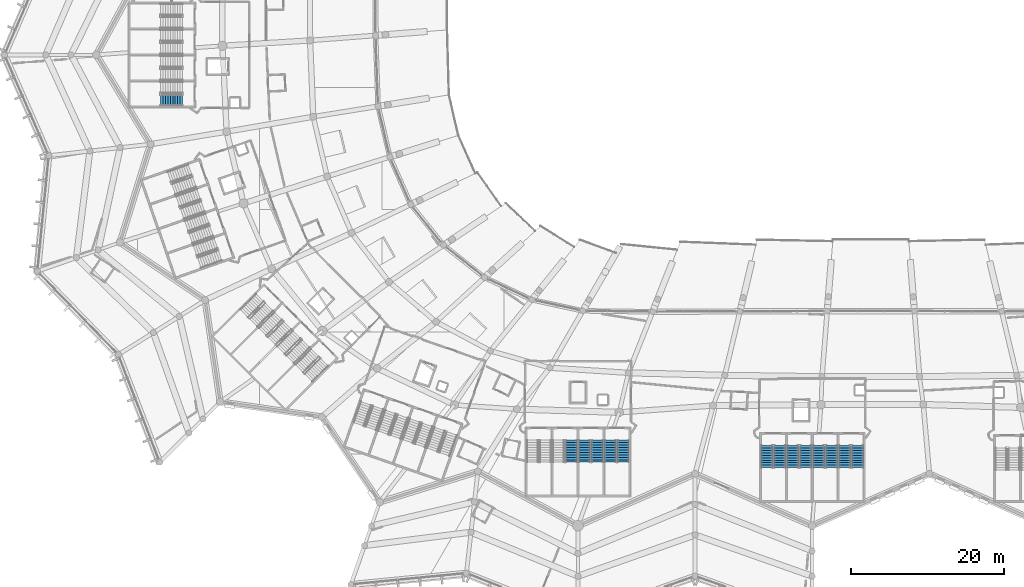
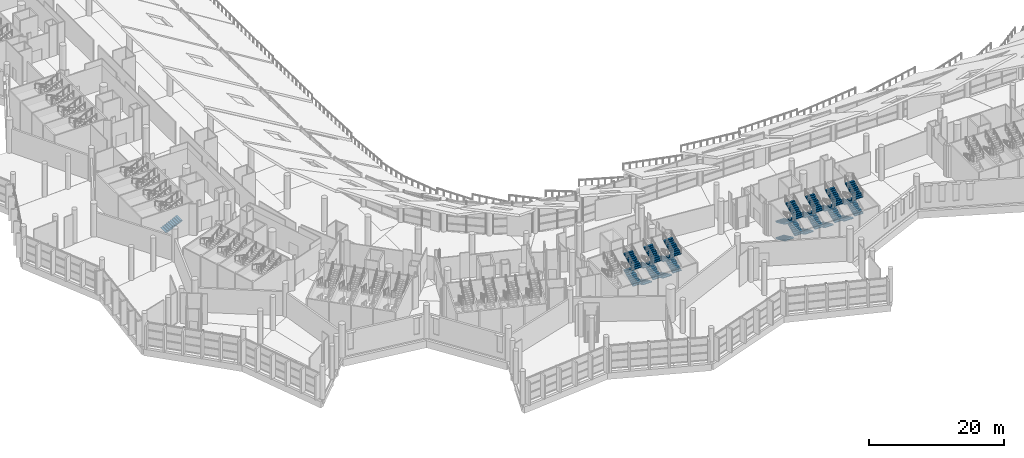
# One storey, part 184 of 249: 27 stair flights, 8 elements without a shape of their own.
"""IFC4 building model written with IfcOpenShell, lengths in metres."""

from ifc_helpers import new_model, si_unit, direction, frame, origin, place, context, subcontext, project, spatial, polyline, outline, extrude, material, type_object, element, aggregate, save


model = new_model("IFC4")

# Units and contexts
model_context = context("Model", 3, precision=1e-05, world=origin(), true_north=direction((0.0, 1.0)))
body_context = subcontext(model_context, "Body", "Model", "MODEL_VIEW")
ifc_project = project(units=[si_unit("LENGTHUNIT", "METRE"), si_unit("AREAUNIT", "SQUARE_METRE"), si_unit("VOLUMEUNIT", "CUBIC_METRE"), si_unit("PLANEANGLEUNIT", "RADIAN"), si_unit("MASSUNIT", "GRAM", prefix="KILO")], contexts=[model_context])

# Site, building, storey
site_placement = place(None, origin())
site = spatial("IfcSite", under=ifc_project, at=site_placement, CompositionType="ELEMENT")
building_placement = place(site_placement, origin())
building = spatial("IfcBuilding", under=site, at=building_placement, Name="Meseta Stadium", CompositionType="ELEMENT")
storey_placement = place(building_placement, frame((0.0, 0.0, 12.0)))
storey = spatial("IfcBuildingStorey", under=building, at=storey_placement, Name="L02", CompositionType="ELEMENT", Elevation=12.0)

# Stair, stair flight
ifc_material_1 = material(Name="Concrete C40/50", Category="concrete")
stair_type = type_object("IfcStairType", Name="Exit stair 4 flights 150 mm risers", PredefinedType="HALF_TURN_STAIR", material=ifc_material_1)
stair_1_placement = place(storey_placement, origin())
stair_1 = element("IfcStair", 1, at=stair_1_placement, inside=storey, type_object=stair_type, Name="ST76 L02", PredefinedType="HALF_TURN_STAIR")
ifc_material_2 = material(Name="Concrete C40/50", Category="concrete")
stair_flight_type = type_object("IfcStairFlightType", Name="Exit stair flight 150 mm risers, 4 per storey", PredefinedType="STRAIGHT", material=ifc_material_2)
stair_flight_1_placement = place(storey_placement, frame((-92.97998046875, -49.699951171875, 1.5), z_axis=(0.0, 0.0, 1.0), x_axis=(1.0, 0.0, 0.0)))
stair_flight_1 = element("IfcStairFlight", 2, at=stair_flight_1_placement, type_object=stair_flight_type, Name="ST76 L02 flight 2", NumberOfRisers=10, NumberOfTreads=9, PredefinedType="STRAIGHT", RiserHeight=0.15, TreadLength=0.32, context=body_context, shape_type="SweptSolid", body=[
    extrude(outline(polyline([(0.0, 0.0), (0.0, 0.14990234375), (0.320068359375, 0.14990234375), (0.320068359375, 0.300048828125), (0.639892578125, 0.300048828125), (0.639892578125, 0.449951171875), (0.9599609375, 0.449951171875), (0.9599609375, 0.60009765625), (1.280029296875, 0.60009765625), (1.280029296875, 0.75), (1.60009765625, 0.75), (1.60009765625, 0.89990234375), (1.919921875, 0.89990234375), (1.919921875, 1.050048828125), (2.239990234375, 1.050048828125), (2.239990234375, 1.199951171875), (2.56005859375, 1.199951171875), (2.56005859375, 1.35009765625), (2.8798828125, 1.35009765625), (2.8798828125, 1.184326171875), (0.353271484375, 0.0), (0.0, 0.0)])), frame((0.0, 0.75, 0.0), z_axis=(0.0, -1.0, 0.0), x_axis=(1.0, 0.0, 0.0)), (0.0, 0.0, 1.0), 1.5),
])
aggregate(stair_1, [stair_flight_1])

# Stair, stair flights
stair_2_placement = place(storey_placement, origin())
stair_2 = element("IfcStair", 3, at=stair_2_placement, inside=storey, type_object=stair_type, Name="ST90 L02", PredefinedType="HALF_TURN_STAIR")
stair_flight_2_placement = place(storey_placement, frame((-39.183349609375, -97.080078125, 1.5), z_axis=(0.0, 0.0, 1.0), x_axis=(0.0, 1.0, 0.0)))
stair_flight_2 = element("IfcStairFlight", 4, at=stair_flight_2_placement, type_object=stair_flight_type, Name="ST90 L02 flight 2", NumberOfRisers=10, NumberOfTreads=9, PredefinedType="STRAIGHT", RiserHeight=0.15, TreadLength=0.32, context=body_context, shape_type="SweptSolid", body=[
    extrude(outline(polyline([(0.0, 0.0), (0.0, 0.14990234375), (0.320068359375, 0.14990234375), (0.320068359375, 0.300048828125), (0.639892578125, 0.300048828125), (0.639892578125, 0.449951171875), (0.9599609375, 0.449951171875), (0.9599609375, 0.60009765625), (1.280029296875, 0.60009765625), (1.280029296875, 0.75), (1.60009765625, 0.75), (1.60009765625, 0.89990234375), (1.919921875, 0.89990234375), (1.919921875, 1.050048828125), (2.239990234375, 1.050048828125), (2.239990234375, 1.199951171875), (2.56005859375, 1.199951171875), (2.56005859375, 1.35009765625), (2.8798828125, 1.35009765625), (2.8798828125, 1.184326171875), (0.353271484375, 0.0), (0.0, 0.0)])), frame((0.0, 0.75, 0.0), z_axis=(0.0, -1.0, 0.0), x_axis=(1.0, 0.0, 0.0)), (0.0, 0.0, 1.0), 1.5),
])
stair_flight_3_placement = place(storey_placement, frame((-39.183349609375, -97.080078125, 4.5), z_axis=(0.0, 0.0, 1.0), x_axis=(0.0, 1.0, 0.0)))
stair_flight_3 = element("IfcStairFlight", 5, at=stair_flight_3_placement, type_object=stair_flight_type, Name="ST90 L02 flight 4", NumberOfRisers=10, NumberOfTreads=9, PredefinedType="STRAIGHT", RiserHeight=0.15, TreadLength=0.32, context=body_context, shape_type="SweptSolid", body=[
    extrude(outline(polyline([(0.0, 0.0), (0.0, 0.14990234375), (0.320068359375, 0.14990234375), (0.320068359375, 0.300048828125), (0.639892578125, 0.300048828125), (0.639892578125, 0.449951171875), (0.9599609375, 0.449951171875), (0.9599609375, 0.60009765625), (1.280029296875, 0.60009765625), (1.280029296875, 0.75), (1.60009765625, 0.75), (1.60009765625, 0.89990234375), (1.919921875, 0.89990234375), (1.919921875, 1.050048828125), (2.239990234375, 1.050048828125), (2.239990234375, 1.199951171875), (2.56005859375, 1.199951171875), (2.56005859375, 1.35009765625), (2.8798828125, 1.35009765625), (2.8798828125, 1.184326171875), (0.353271484375, 0.0), (0.0, 0.0)])), frame((0.0, 0.75, 0.0), z_axis=(0.0, -1.0, 0.0), x_axis=(1.0, 0.0, 0.0)), (0.0, 0.0, 1.0), 1.5),
])
aggregate(stair_2, [stair_flight_2, stair_flight_3])

stair_3_placement = place(storey_placement, origin())
stair_3 = element("IfcStair", 6, at=stair_3_placement, inside=storey, type_object=stair_type, Name="ST91 L02", PredefinedType="HALF_TURN_STAIR")
stair_flight_4_placement = place(storey_placement, frame((-37.4833984375, -94.199951171875, 0.0), z_axis=(0.0, 0.0, 1.0), x_axis=(0.0, -1.0, 0.0)))
stair_flight_4 = element("IfcStairFlight", 7, at=stair_flight_4_placement, type_object=stair_flight_type, Name="ST91 L02 flight 1", NumberOfRisers=10, NumberOfTreads=9, PredefinedType="STRAIGHT", RiserHeight=0.15, TreadLength=0.32, context=body_context, shape_type="SweptSolid", body=[
    extrude(outline(polyline([(0.0, 0.0), (0.0, 0.14990234375), (0.320068359375, 0.14990234375), (0.320068359375, 0.300048828125), (0.639892578125, 0.300048828125), (0.639892578125, 0.449951171875), (0.9599609375, 0.449951171875), (0.9599609375, 0.60009765625), (1.280029296875, 0.60009765625), (1.280029296875, 0.75), (1.60009765625, 0.75), (1.60009765625, 0.89990234375), (1.919921875, 0.89990234375), (1.919921875, 1.050048828125), (2.239990234375, 1.050048828125), (2.239990234375, 1.199951171875), (2.56005859375, 1.199951171875), (2.56005859375, 1.35009765625), (2.8798828125, 1.35009765625), (2.8798828125, 1.184326171875), (0.353271484375, 0.0), (0.0, 0.0)])), frame((0.0, 0.75, 0.0), z_axis=(0.0, -1.0, 0.0), x_axis=(1.0, 0.0, 0.0)), (0.0, 0.0, 1.0), 1.5),
])
stair_flight_5_placement = place(storey_placement, frame((-35.783447265625, -97.080078125, 1.5), z_axis=(0.0, 0.0, 1.0), x_axis=(0.0, 1.0, 0.0)))
stair_flight_5 = element("IfcStairFlight", 8, at=stair_flight_5_placement, type_object=stair_flight_type, Name="ST91 L02 flight 2", NumberOfRisers=10, NumberOfTreads=9, PredefinedType="STRAIGHT", RiserHeight=0.15, TreadLength=0.32, context=body_context, shape_type="SweptSolid", body=[
    extrude(outline(polyline([(0.0, 0.0), (0.0, 0.14990234375), (0.320068359375, 0.14990234375), (0.320068359375, 0.300048828125), (0.639892578125, 0.300048828125), (0.639892578125, 0.449951171875), (0.9599609375, 0.449951171875), (0.9599609375, 0.60009765625), (1.280029296875, 0.60009765625), (1.280029296875, 0.75), (1.60009765625, 0.75), (1.60009765625, 0.89990234375), (1.919921875, 0.89990234375), (1.919921875, 1.050048828125), (2.239990234375, 1.050048828125), (2.239990234375, 1.199951171875), (2.56005859375, 1.199951171875), (2.56005859375, 1.35009765625), (2.8798828125, 1.35009765625), (2.8798828125, 1.184326171875), (0.353271484375, 0.0), (0.0, 0.0)])), frame((0.0, 0.75, 0.0), z_axis=(0.0, -1.0, 0.0), x_axis=(1.0, 0.0, 0.0)), (0.0, 0.0, 1.0), 1.5),
])
stair_flight_6_placement = place(storey_placement, frame((-37.4833984375, -94.199951171875, 3.0), z_axis=(0.0, 0.0, 1.0), x_axis=(0.0, -1.0, 0.0)))
stair_flight_6 = element("IfcStairFlight", 9, at=stair_flight_6_placement, type_object=stair_flight_type, Name="ST91 L02 flight 3", NumberOfRisers=10, NumberOfTreads=9, PredefinedType="STRAIGHT", RiserHeight=0.15, TreadLength=0.32, context=body_context, shape_type="SweptSolid", body=[
    extrude(outline(polyline([(0.0, 0.0), (0.0, 0.14990234375), (0.320068359375, 0.14990234375), (0.320068359375, 0.300048828125), (0.639892578125, 0.300048828125), (0.639892578125, 0.449951171875), (0.9599609375, 0.449951171875), (0.9599609375, 0.60009765625), (1.280029296875, 0.60009765625), (1.280029296875, 0.75), (1.60009765625, 0.75), (1.60009765625, 0.89990234375), (1.919921875, 0.89990234375), (1.919921875, 1.050048828125), (2.239990234375, 1.050048828125), (2.239990234375, 1.199951171875), (2.56005859375, 1.199951171875), (2.56005859375, 1.35009765625), (2.8798828125, 1.35009765625), (2.8798828125, 1.184326171875), (0.353271484375, 0.0), (0.0, 0.0)])), frame((0.0, 0.75, 0.0), z_axis=(0.0, -1.0, 0.0), x_axis=(1.0, 0.0, 0.0)), (0.0, 0.0, 1.0), 1.5),
])
stair_flight_7_placement = place(storey_placement, frame((-35.783447265625, -97.080078125, 4.5), z_axis=(0.0, 0.0, 1.0), x_axis=(0.0, 1.0, 0.0)))
stair_flight_7 = element("IfcStairFlight", 10, at=stair_flight_7_placement, type_object=stair_flight_type, Name="ST91 L02 flight 4", NumberOfRisers=10, NumberOfTreads=9, PredefinedType="STRAIGHT", RiserHeight=0.15, TreadLength=0.32, context=body_context, shape_type="SweptSolid", body=[
    extrude(outline(polyline([(0.0, 0.0), (0.0, 0.14990234375), (0.320068359375, 0.14990234375), (0.320068359375, 0.300048828125), (0.639892578125, 0.300048828125), (0.639892578125, 0.449951171875), (0.9599609375, 0.449951171875), (0.9599609375, 0.60009765625), (1.280029296875, 0.60009765625), (1.280029296875, 0.75), (1.60009765625, 0.75), (1.60009765625, 0.89990234375), (1.919921875, 0.89990234375), (1.919921875, 1.050048828125), (2.239990234375, 1.050048828125), (2.239990234375, 1.199951171875), (2.56005859375, 1.199951171875), (2.56005859375, 1.35009765625), (2.8798828125, 1.35009765625), (2.8798828125, 1.184326171875), (0.353271484375, 0.0), (0.0, 0.0)])), frame((0.0, 0.75, 0.0), z_axis=(0.0, -1.0, 0.0), x_axis=(1.0, 0.0, 0.0)), (0.0, 0.0, 1.0), 1.5),
])
aggregate(stair_3, [stair_flight_4, stair_flight_5, stair_flight_6, stair_flight_7])

stair_4_placement = place(storey_placement, origin())
stair_4 = element("IfcStair", 11, at=stair_4_placement, inside=storey, type_object=stair_type, Name="ST92 L02", PredefinedType="HALF_TURN_STAIR")
stair_flight_8_placement = place(storey_placement, frame((-34.083251953125, -94.199951171875, 0.0), z_axis=(0.0, 0.0, 1.0), x_axis=(0.0, -1.0, 0.0)))
stair_flight_8 = element("IfcStairFlight", 12, at=stair_flight_8_placement, type_object=stair_flight_type, Name="ST92 L02 flight 1", NumberOfRisers=10, NumberOfTreads=9, PredefinedType="STRAIGHT", RiserHeight=0.15, TreadLength=0.32, context=body_context, shape_type="SweptSolid", body=[
    extrude(outline(polyline([(0.0, 0.0), (0.0, 0.14990234375), (0.320068359375, 0.14990234375), (0.320068359375, 0.300048828125), (0.639892578125, 0.300048828125), (0.639892578125, 0.449951171875), (0.9599609375, 0.449951171875), (0.9599609375, 0.60009765625), (1.280029296875, 0.60009765625), (1.280029296875, 0.75), (1.60009765625, 0.75), (1.60009765625, 0.89990234375), (1.919921875, 0.89990234375), (1.919921875, 1.050048828125), (2.239990234375, 1.050048828125), (2.239990234375, 1.199951171875), (2.56005859375, 1.199951171875), (2.56005859375, 1.35009765625), (2.8798828125, 1.35009765625), (2.8798828125, 1.184326171875), (0.353271484375, 0.0), (0.0, 0.0)])), frame((0.0, 0.75, 0.0), z_axis=(0.0, -1.0, 0.0), x_axis=(1.0, 0.0, 0.0)), (0.0, 0.0, 1.0), 1.5),
])
stair_flight_9_placement = place(storey_placement, frame((-32.38330078125, -97.080078125, 1.5), z_axis=(0.0, 0.0, 1.0), x_axis=(0.0, 1.0, 0.0)))
stair_flight_9 = element("IfcStairFlight", 13, at=stair_flight_9_placement, type_object=stair_flight_type, Name="ST92 L02 flight 2", NumberOfRisers=10, NumberOfTreads=9, PredefinedType="STRAIGHT", RiserHeight=0.15, TreadLength=0.32, context=body_context, shape_type="SweptSolid", body=[
    extrude(outline(polyline([(0.0, 0.0), (0.0, 0.14990234375), (0.320068359375, 0.14990234375), (0.320068359375, 0.300048828125), (0.639892578125, 0.300048828125), (0.639892578125, 0.449951171875), (0.9599609375, 0.449951171875), (0.9599609375, 0.60009765625), (1.280029296875, 0.60009765625), (1.280029296875, 0.75), (1.60009765625, 0.75), (1.60009765625, 0.89990234375), (1.919921875, 0.89990234375), (1.919921875, 1.050048828125), (2.239990234375, 1.050048828125), (2.239990234375, 1.199951171875), (2.56005859375, 1.199951171875), (2.56005859375, 1.35009765625), (2.8798828125, 1.35009765625), (2.8798828125, 1.184326171875), (0.353271484375, 0.0), (0.0, 0.0)])), frame((0.0, 0.75, 0.0), z_axis=(0.0, -1.0, 0.0), x_axis=(1.0, 0.0, 0.0)), (0.0, 0.0, 1.0), 1.5),
])
stair_flight_10_placement = place(storey_placement, frame((-34.083251953125, -94.199951171875, 3.0), z_axis=(0.0, 0.0, 1.0), x_axis=(0.0, -1.0, 0.0)))
stair_flight_10 = element("IfcStairFlight", 14, at=stair_flight_10_placement, type_object=stair_flight_type, Name="ST92 L02 flight 3", NumberOfRisers=10, NumberOfTreads=9, PredefinedType="STRAIGHT", RiserHeight=0.15, TreadLength=0.32, context=body_context, shape_type="SweptSolid", body=[
    extrude(outline(polyline([(0.0, 0.0), (0.0, 0.14990234375), (0.320068359375, 0.14990234375), (0.320068359375, 0.300048828125), (0.639892578125, 0.300048828125), (0.639892578125, 0.449951171875), (0.9599609375, 0.449951171875), (0.9599609375, 0.60009765625), (1.280029296875, 0.60009765625), (1.280029296875, 0.75), (1.60009765625, 0.75), (1.60009765625, 0.89990234375), (1.919921875, 0.89990234375), (1.919921875, 1.050048828125), (2.239990234375, 1.050048828125), (2.239990234375, 1.199951171875), (2.56005859375, 1.199951171875), (2.56005859375, 1.35009765625), (2.8798828125, 1.35009765625), (2.8798828125, 1.184326171875), (0.353271484375, 0.0), (0.0, 0.0)])), frame((0.0, 0.75, 0.0), z_axis=(0.0, -1.0, 0.0), x_axis=(1.0, 0.0, 0.0)), (0.0, 0.0, 1.0), 1.5),
])
stair_flight_11_placement = place(storey_placement, frame((-32.38330078125, -97.080078125, 4.5), z_axis=(0.0, 0.0, 1.0), x_axis=(0.0, 1.0, 0.0)))
stair_flight_11 = element("IfcStairFlight", 15, at=stair_flight_11_placement, type_object=stair_flight_type, Name="ST92 L02 flight 4", NumberOfRisers=10, NumberOfTreads=9, PredefinedType="STRAIGHT", RiserHeight=0.15, TreadLength=0.32, context=body_context, shape_type="SweptSolid", body=[
    extrude(outline(polyline([(0.0, 0.0), (0.0, 0.14990234375), (0.320068359375, 0.14990234375), (0.320068359375, 0.300048828125), (0.639892578125, 0.300048828125), (0.639892578125, 0.449951171875), (0.9599609375, 0.449951171875), (0.9599609375, 0.60009765625), (1.280029296875, 0.60009765625), (1.280029296875, 0.75), (1.60009765625, 0.75), (1.60009765625, 0.89990234375), (1.919921875, 0.89990234375), (1.919921875, 1.050048828125), (2.239990234375, 1.050048828125), (2.239990234375, 1.199951171875), (2.56005859375, 1.199951171875), (2.56005859375, 1.35009765625), (2.8798828125, 1.35009765625), (2.8798828125, 1.184326171875), (0.353271484375, 0.0), (0.0, 0.0)])), frame((0.0, 0.75, 0.0), z_axis=(0.0, -1.0, 0.0), x_axis=(1.0, 0.0, 0.0)), (0.0, 0.0, 1.0), 1.5),
])
aggregate(stair_4, [stair_flight_8, stair_flight_9, stair_flight_10, stair_flight_11])

stair_5_placement = place(storey_placement, origin())
stair_5 = element("IfcStair", 16, at=stair_5_placement, inside=storey, type_object=stair_type, Name="ST93 L02", PredefinedType="HALF_TURN_STAIR")
stair_flight_12_placement = place(storey_placement, frame((-13.61669921875, -94.89990234375, 0.0), z_axis=(0.0, 0.0, 1.0), x_axis=(0.0, -1.0, 0.0)))
stair_flight_12 = element("IfcStairFlight", 17, at=stair_flight_12_placement, type_object=stair_flight_type, Name="ST93 L02 flight 1", NumberOfRisers=10, NumberOfTreads=9, PredefinedType="STRAIGHT", RiserHeight=0.15, TreadLength=0.32, context=body_context, shape_type="SweptSolid", body=[
    extrude(outline(polyline([(0.0, 0.0), (0.0, 0.14990234375), (0.320068359375, 0.14990234375), (0.320068359375, 0.300048828125), (0.639892578125, 0.300048828125), (0.639892578125, 0.449951171875), (0.9599609375, 0.449951171875), (0.9599609375, 0.60009765625), (1.280029296875, 0.60009765625), (1.280029296875, 0.75), (1.60009765625, 0.75), (1.60009765625, 0.89990234375), (1.919921875, 0.89990234375), (1.919921875, 1.050048828125), (2.239990234375, 1.050048828125), (2.239990234375, 1.199951171875), (2.56005859375, 1.199951171875), (2.56005859375, 1.35009765625), (2.8798828125, 1.35009765625), (2.8798828125, 1.184326171875), (0.353271484375, 0.0), (0.0, 0.0)])), frame((0.0, 0.75, 0.0), z_axis=(0.0, -1.0, 0.0), x_axis=(1.0, 0.0, 0.0)), (0.0, 0.0, 1.0), 1.5),
])
stair_flight_13_placement = place(storey_placement, frame((-11.916748046875, -97.780029296875, 1.5), z_axis=(0.0, 0.0, 1.0), x_axis=(0.0, 1.0, 0.0)))
stair_flight_13 = element("IfcStairFlight", 18, at=stair_flight_13_placement, type_object=stair_flight_type, Name="ST93 L02 flight 2", NumberOfRisers=10, NumberOfTreads=9, PredefinedType="STRAIGHT", RiserHeight=0.15, TreadLength=0.32, context=body_context, shape_type="SweptSolid", body=[
    extrude(outline(polyline([(0.0, 0.0), (0.0, 0.14990234375), (0.320068359375, 0.14990234375), (0.320068359375, 0.300048828125), (0.639892578125, 0.300048828125), (0.639892578125, 0.449951171875), (0.9599609375, 0.449951171875), (0.9599609375, 0.60009765625), (1.280029296875, 0.60009765625), (1.280029296875, 0.75), (1.60009765625, 0.75), (1.60009765625, 0.89990234375), (1.919921875, 0.89990234375), (1.919921875, 1.050048828125), (2.239990234375, 1.050048828125), (2.239990234375, 1.199951171875), (2.56005859375, 1.199951171875), (2.56005859375, 1.35009765625), (2.8798828125, 1.35009765625), (2.8798828125, 1.184326171875), (0.353271484375, 0.0), (0.0, 0.0)])), frame((0.0, 0.75, 0.0), z_axis=(0.0, -1.0, 0.0), x_axis=(1.0, 0.0, 0.0)), (0.0, 0.0, 1.0), 1.5),
])
stair_flight_14_placement = place(storey_placement, frame((-13.61669921875, -94.89990234375, 3.0), z_axis=(0.0, 0.0, 1.0), x_axis=(0.0, -1.0, 0.0)))
stair_flight_14 = element("IfcStairFlight", 19, at=stair_flight_14_placement, type_object=stair_flight_type, Name="ST93 L02 flight 3", NumberOfRisers=10, NumberOfTreads=9, PredefinedType="STRAIGHT", RiserHeight=0.15, TreadLength=0.32, context=body_context, shape_type="SweptSolid", body=[
    extrude(outline(polyline([(0.0, 0.0), (0.0, 0.14990234375), (0.320068359375, 0.14990234375), (0.320068359375, 0.300048828125), (0.639892578125, 0.300048828125), (0.639892578125, 0.449951171875), (0.9599609375, 0.449951171875), (0.9599609375, 0.60009765625), (1.280029296875, 0.60009765625), (1.280029296875, 0.75), (1.60009765625, 0.75), (1.60009765625, 0.89990234375), (1.919921875, 0.89990234375), (1.919921875, 1.050048828125), (2.239990234375, 1.050048828125), (2.239990234375, 1.199951171875), (2.56005859375, 1.199951171875), (2.56005859375, 1.35009765625), (2.8798828125, 1.35009765625), (2.8798828125, 1.184326171875), (0.353271484375, 0.0), (0.0, 0.0)])), frame((0.0, 0.75, 0.0), z_axis=(0.0, -1.0, 0.0), x_axis=(1.0, 0.0, 0.0)), (0.0, 0.0, 1.0), 1.5),
])
stair_flight_15_placement = place(storey_placement, frame((-11.916748046875, -97.780029296875, 4.5), z_axis=(0.0, 0.0, 1.0), x_axis=(0.0, 1.0, 0.0)))
stair_flight_15 = element("IfcStairFlight", 20, at=stair_flight_15_placement, type_object=stair_flight_type, Name="ST93 L02 flight 4", NumberOfRisers=10, NumberOfTreads=9, PredefinedType="STRAIGHT", RiserHeight=0.15, TreadLength=0.32, context=body_context, shape_type="SweptSolid", body=[
    extrude(outline(polyline([(0.0, 0.0), (0.0, 0.14990234375), (0.320068359375, 0.14990234375), (0.320068359375, 0.300048828125), (0.639892578125, 0.300048828125), (0.639892578125, 0.449951171875), (0.9599609375, 0.449951171875), (0.9599609375, 0.60009765625), (1.280029296875, 0.60009765625), (1.280029296875, 0.75), (1.60009765625, 0.75), (1.60009765625, 0.89990234375), (1.919921875, 0.89990234375), (1.919921875, 1.050048828125), (2.239990234375, 1.050048828125), (2.239990234375, 1.199951171875), (2.56005859375, 1.199951171875), (2.56005859375, 1.35009765625), (2.8798828125, 1.35009765625), (2.8798828125, 1.184326171875), (0.353271484375, 0.0), (0.0, 0.0)])), frame((0.0, 0.75, 0.0), z_axis=(0.0, -1.0, 0.0), x_axis=(1.0, 0.0, 0.0)), (0.0, 0.0, 1.0), 1.5),
])
aggregate(stair_5, [stair_flight_12, stair_flight_13, stair_flight_14, stair_flight_15])

stair_6_placement = place(storey_placement, origin())
stair_6 = element("IfcStair", 21, at=stair_6_placement, inside=storey, type_object=stair_type, Name="ST94 L02", PredefinedType="HALF_TURN_STAIR")
stair_flight_16_placement = place(storey_placement, frame((-10.216552734375, -94.89990234375, 0.0), z_axis=(0.0, 0.0, 1.0), x_axis=(0.0, -1.0, 0.0)))
stair_flight_16 = element("IfcStairFlight", 22, at=stair_flight_16_placement, type_object=stair_flight_type, Name="ST94 L02 flight 1", NumberOfRisers=10, NumberOfTreads=9, PredefinedType="STRAIGHT", RiserHeight=0.15, TreadLength=0.32, context=body_context, shape_type="SweptSolid", body=[
    extrude(outline(polyline([(0.0, 0.0), (0.0, 0.14990234375), (0.320068359375, 0.14990234375), (0.320068359375, 0.300048828125), (0.639892578125, 0.300048828125), (0.639892578125, 0.449951171875), (0.9599609375, 0.449951171875), (0.9599609375, 0.60009765625), (1.280029296875, 0.60009765625), (1.280029296875, 0.75), (1.60009765625, 0.75), (1.60009765625, 0.89990234375), (1.919921875, 0.89990234375), (1.919921875, 1.050048828125), (2.239990234375, 1.050048828125), (2.239990234375, 1.199951171875), (2.56005859375, 1.199951171875), (2.56005859375, 1.35009765625), (2.8798828125, 1.35009765625), (2.8798828125, 1.184326171875), (0.353271484375, 0.0), (0.0, 0.0)])), frame((0.0, 0.75, 0.0), z_axis=(0.0, -1.0, 0.0), x_axis=(1.0, 0.0, 0.0)), (0.0, 0.0, 1.0), 1.5),
])
stair_flight_17_placement = place(storey_placement, frame((-8.5166015625, -97.780029296875, 1.5), z_axis=(0.0, 0.0, 1.0), x_axis=(0.0, 1.0, 0.0)))
stair_flight_17 = element("IfcStairFlight", 23, at=stair_flight_17_placement, type_object=stair_flight_type, Name="ST94 L02 flight 2", NumberOfRisers=10, NumberOfTreads=9, PredefinedType="STRAIGHT", RiserHeight=0.15, TreadLength=0.32, context=body_context, shape_type="SweptSolid", body=[
    extrude(outline(polyline([(0.0, 0.0), (0.0, 0.14990234375), (0.320068359375, 0.14990234375), (0.320068359375, 0.300048828125), (0.639892578125, 0.300048828125), (0.639892578125, 0.449951171875), (0.9599609375, 0.449951171875), (0.9599609375, 0.60009765625), (1.280029296875, 0.60009765625), (1.280029296875, 0.75), (1.60009765625, 0.75), (1.60009765625, 0.89990234375), (1.919921875, 0.89990234375), (1.919921875, 1.050048828125), (2.239990234375, 1.050048828125), (2.239990234375, 1.199951171875), (2.56005859375, 1.199951171875), (2.56005859375, 1.35009765625), (2.8798828125, 1.35009765625), (2.8798828125, 1.184326171875), (0.353271484375, 0.0), (0.0, 0.0)])), frame((0.0, 0.75, 0.0), z_axis=(0.0, -1.0, 0.0), x_axis=(1.0, 0.0, 0.0)), (0.0, 0.0, 1.0), 1.5),
])
stair_flight_18_placement = place(storey_placement, frame((-10.216552734375, -94.89990234375, 3.0), z_axis=(0.0, 0.0, 1.0), x_axis=(0.0, -1.0, 0.0)))
stair_flight_18 = element("IfcStairFlight", 24, at=stair_flight_18_placement, type_object=stair_flight_type, Name="ST94 L02 flight 3", NumberOfRisers=10, NumberOfTreads=9, PredefinedType="STRAIGHT", RiserHeight=0.15, TreadLength=0.32, context=body_context, shape_type="SweptSolid", body=[
    extrude(outline(polyline([(0.0, 0.0), (0.0, 0.14990234375), (0.320068359375, 0.14990234375), (0.320068359375, 0.300048828125), (0.639892578125, 0.300048828125), (0.639892578125, 0.449951171875), (0.9599609375, 0.449951171875), (0.9599609375, 0.60009765625), (1.280029296875, 0.60009765625), (1.280029296875, 0.75), (1.60009765625, 0.75), (1.60009765625, 0.89990234375), (1.919921875, 0.89990234375), (1.919921875, 1.050048828125), (2.239990234375, 1.050048828125), (2.239990234375, 1.199951171875), (2.56005859375, 1.199951171875), (2.56005859375, 1.35009765625), (2.8798828125, 1.35009765625), (2.8798828125, 1.184326171875), (0.353271484375, 0.0), (0.0, 0.0)])), frame((0.0, 0.75, 0.0), z_axis=(0.0, -1.0, 0.0), x_axis=(1.0, 0.0, 0.0)), (0.0, 0.0, 1.0), 1.5),
])
stair_flight_19_placement = place(storey_placement, frame((-8.5166015625, -97.780029296875, 4.5), z_axis=(0.0, 0.0, 1.0), x_axis=(0.0, 1.0, 0.0)))
stair_flight_19 = element("IfcStairFlight", 25, at=stair_flight_19_placement, type_object=stair_flight_type, Name="ST94 L02 flight 4", NumberOfRisers=10, NumberOfTreads=9, PredefinedType="STRAIGHT", RiserHeight=0.15, TreadLength=0.32, context=body_context, shape_type="SweptSolid", body=[
    extrude(outline(polyline([(0.0, 0.0), (0.0, 0.14990234375), (0.320068359375, 0.14990234375), (0.320068359375, 0.300048828125), (0.639892578125, 0.300048828125), (0.639892578125, 0.449951171875), (0.9599609375, 0.449951171875), (0.9599609375, 0.60009765625), (1.280029296875, 0.60009765625), (1.280029296875, 0.75), (1.60009765625, 0.75), (1.60009765625, 0.89990234375), (1.919921875, 0.89990234375), (1.919921875, 1.050048828125), (2.239990234375, 1.050048828125), (2.239990234375, 1.199951171875), (2.56005859375, 1.199951171875), (2.56005859375, 1.35009765625), (2.8798828125, 1.35009765625), (2.8798828125, 1.184326171875), (0.353271484375, 0.0), (0.0, 0.0)])), frame((0.0, 0.75, 0.0), z_axis=(0.0, -1.0, 0.0), x_axis=(1.0, 0.0, 0.0)), (0.0, 0.0, 1.0), 1.5),
])
aggregate(stair_6, [stair_flight_16, stair_flight_17, stair_flight_18, stair_flight_19])

stair_7_placement = place(storey_placement, origin())
stair_7 = element("IfcStair", 26, at=stair_7_placement, inside=storey, type_object=stair_type, Name="ST95 L02", PredefinedType="HALF_TURN_STAIR")
stair_flight_20_placement = place(storey_placement, frame((-6.816650390625, -94.89990234375, 0.0), z_axis=(0.0, 0.0, 1.0), x_axis=(0.0, -1.0, 0.0)))
stair_flight_20 = element("IfcStairFlight", 27, at=stair_flight_20_placement, type_object=stair_flight_type, Name="ST95 L02 flight 1", NumberOfRisers=10, NumberOfTreads=9, PredefinedType="STRAIGHT", RiserHeight=0.15, TreadLength=0.32, context=body_context, shape_type="SweptSolid", body=[
    extrude(outline(polyline([(0.0, 0.0), (0.0, 0.14990234375), (0.320068359375, 0.14990234375), (0.320068359375, 0.300048828125), (0.639892578125, 0.300048828125), (0.639892578125, 0.449951171875), (0.9599609375, 0.449951171875), (0.9599609375, 0.60009765625), (1.280029296875, 0.60009765625), (1.280029296875, 0.75), (1.60009765625, 0.75), (1.60009765625, 0.89990234375), (1.919921875, 0.89990234375), (1.919921875, 1.050048828125), (2.239990234375, 1.050048828125), (2.239990234375, 1.199951171875), (2.56005859375, 1.199951171875), (2.56005859375, 1.35009765625), (2.8798828125, 1.35009765625), (2.8798828125, 1.184326171875), (0.353271484375, 0.0), (0.0, 0.0)])), frame((0.0, 0.75, 0.0), z_axis=(0.0, -1.0, 0.0), x_axis=(1.0, 0.0, 0.0)), (0.0, 0.0, 1.0), 1.5),
])
stair_flight_21_placement = place(storey_placement, frame((-5.11669921875, -97.780029296875, 1.5), z_axis=(0.0, 0.0, 1.0), x_axis=(0.0, 1.0, 0.0)))
stair_flight_21 = element("IfcStairFlight", 28, at=stair_flight_21_placement, type_object=stair_flight_type, Name="ST95 L02 flight 2", NumberOfRisers=10, NumberOfTreads=9, PredefinedType="STRAIGHT", RiserHeight=0.15, TreadLength=0.32, context=body_context, shape_type="SweptSolid", body=[
    extrude(outline(polyline([(0.0, 0.0), (0.0, 0.14990234375), (0.320068359375, 0.14990234375), (0.320068359375, 0.300048828125), (0.639892578125, 0.300048828125), (0.639892578125, 0.449951171875), (0.9599609375, 0.449951171875), (0.9599609375, 0.60009765625), (1.280029296875, 0.60009765625), (1.280029296875, 0.75), (1.60009765625, 0.75), (1.60009765625, 0.89990234375), (1.919921875, 0.89990234375), (1.919921875, 1.050048828125), (2.239990234375, 1.050048828125), (2.239990234375, 1.199951171875), (2.56005859375, 1.199951171875), (2.56005859375, 1.35009765625), (2.8798828125, 1.35009765625), (2.8798828125, 1.184326171875), (0.353271484375, 0.0), (0.0, 0.0)])), frame((0.0, 0.75, 0.0), z_axis=(0.0, -1.0, 0.0), x_axis=(1.0, 0.0, 0.0)), (0.0, 0.0, 1.0), 1.5),
])
stair_flight_22_placement = place(storey_placement, frame((-6.816650390625, -94.89990234375, 3.0), z_axis=(0.0, 0.0, 1.0), x_axis=(0.0, -1.0, 0.0)))
stair_flight_22 = element("IfcStairFlight", 29, at=stair_flight_22_placement, type_object=stair_flight_type, Name="ST95 L02 flight 3", NumberOfRisers=10, NumberOfTreads=9, PredefinedType="STRAIGHT", RiserHeight=0.15, TreadLength=0.32, context=body_context, shape_type="SweptSolid", body=[
    extrude(outline(polyline([(0.0, 0.0), (0.0, 0.14990234375), (0.320068359375, 0.14990234375), (0.320068359375, 0.300048828125), (0.639892578125, 0.300048828125), (0.639892578125, 0.449951171875), (0.9599609375, 0.449951171875), (0.9599609375, 0.60009765625), (1.280029296875, 0.60009765625), (1.280029296875, 0.75), (1.60009765625, 0.75), (1.60009765625, 0.89990234375), (1.919921875, 0.89990234375), (1.919921875, 1.050048828125), (2.239990234375, 1.050048828125), (2.239990234375, 1.199951171875), (2.56005859375, 1.199951171875), (2.56005859375, 1.35009765625), (2.8798828125, 1.35009765625), (2.8798828125, 1.184326171875), (0.353271484375, 0.0), (0.0, 0.0)])), frame((0.0, 0.75, 0.0), z_axis=(0.0, -1.0, 0.0), x_axis=(1.0, 0.0, 0.0)), (0.0, 0.0, 1.0), 1.5),
])
stair_flight_23_placement = place(storey_placement, frame((-5.11669921875, -97.780029296875, 4.5), z_axis=(0.0, 0.0, 1.0), x_axis=(0.0, 1.0, 0.0)))
stair_flight_23 = element("IfcStairFlight", 30, at=stair_flight_23_placement, type_object=stair_flight_type, Name="ST95 L02 flight 4", NumberOfRisers=10, NumberOfTreads=9, PredefinedType="STRAIGHT", RiserHeight=0.15, TreadLength=0.32, context=body_context, shape_type="SweptSolid", body=[
    extrude(outline(polyline([(0.0, 0.0), (0.0, 0.14990234375), (0.320068359375, 0.14990234375), (0.320068359375, 0.300048828125), (0.639892578125, 0.300048828125), (0.639892578125, 0.449951171875), (0.9599609375, 0.449951171875), (0.9599609375, 0.60009765625), (1.280029296875, 0.60009765625), (1.280029296875, 0.75), (1.60009765625, 0.75), (1.60009765625, 0.89990234375), (1.919921875, 0.89990234375), (1.919921875, 1.050048828125), (2.239990234375, 1.050048828125), (2.239990234375, 1.199951171875), (2.56005859375, 1.199951171875), (2.56005859375, 1.35009765625), (2.8798828125, 1.35009765625), (2.8798828125, 1.184326171875), (0.353271484375, 0.0), (0.0, 0.0)])), frame((0.0, 0.75, 0.0), z_axis=(0.0, -1.0, 0.0), x_axis=(1.0, 0.0, 0.0)), (0.0, 0.0, 1.0), 1.5),
])
aggregate(stair_7, [stair_flight_20, stair_flight_21, stair_flight_22, stair_flight_23])

stair_8_placement = place(storey_placement, origin())
stair_8 = element("IfcStair", 31, at=stair_8_placement, inside=storey, type_object=stair_type, Name="ST96 L02", PredefinedType="HALF_TURN_STAIR")
stair_flight_24_placement = place(storey_placement, frame((-3.416748046875, -94.89990234375, 0.0), z_axis=(0.0, 0.0, 1.0), x_axis=(0.0, -1.0, 0.0)))
stair_flight_24 = element("IfcStairFlight", 32, at=stair_flight_24_placement, type_object=stair_flight_type, Name="ST96 L02 flight 1", NumberOfRisers=10, NumberOfTreads=9, PredefinedType="STRAIGHT", RiserHeight=0.15, TreadLength=0.32, context=body_context, shape_type="SweptSolid", body=[
    extrude(outline(polyline([(0.0, 0.0), (0.0, 0.14990234375), (0.320068359375, 0.14990234375), (0.320068359375, 0.300048828125), (0.639892578125, 0.300048828125), (0.639892578125, 0.449951171875), (0.9599609375, 0.449951171875), (0.9599609375, 0.60009765625), (1.280029296875, 0.60009765625), (1.280029296875, 0.75), (1.60009765625, 0.75), (1.60009765625, 0.89990234375), (1.919921875, 0.89990234375), (1.919921875, 1.050048828125), (2.239990234375, 1.050048828125), (2.239990234375, 1.199951171875), (2.56005859375, 1.199951171875), (2.56005859375, 1.35009765625), (2.8798828125, 1.35009765625), (2.8798828125, 1.184326171875), (0.353271484375, 0.0), (0.0, 0.0)])), frame((0.0, 0.75, 0.0), z_axis=(0.0, -1.0, 0.0), x_axis=(1.0, 0.0, 0.0)), (0.0, 0.0, 1.0), 1.5),
])
stair_flight_25_placement = place(storey_placement, frame((-1.716552734375, -97.780029296875, 1.5), z_axis=(0.0, 0.0, 1.0), x_axis=(0.0, 1.0, 0.0)))
stair_flight_25 = element("IfcStairFlight", 33, at=stair_flight_25_placement, type_object=stair_flight_type, Name="ST96 L02 flight 2", NumberOfRisers=10, NumberOfTreads=9, PredefinedType="STRAIGHT", RiserHeight=0.15, TreadLength=0.32, context=body_context, shape_type="SweptSolid", body=[
    extrude(outline(polyline([(0.0, 0.0), (0.0, 0.14990234375), (0.320068359375, 0.14990234375), (0.320068359375, 0.300048828125), (0.639892578125, 0.300048828125), (0.639892578125, 0.449951171875), (0.9599609375, 0.449951171875), (0.9599609375, 0.60009765625), (1.280029296875, 0.60009765625), (1.280029296875, 0.75), (1.60009765625, 0.75), (1.60009765625, 0.89990234375), (1.919921875, 0.89990234375), (1.919921875, 1.050048828125), (2.239990234375, 1.050048828125), (2.239990234375, 1.199951171875), (2.56005859375, 1.199951171875), (2.56005859375, 1.35009765625), (2.8798828125, 1.35009765625), (2.8798828125, 1.184326171875), (0.353271484375, 0.0), (0.0, 0.0)])), frame((0.0, 0.75, 0.0), z_axis=(0.0, -1.0, 0.0), x_axis=(1.0, 0.0, 0.0)), (0.0, 0.0, 1.0), 1.5),
])
stair_flight_26_placement = place(storey_placement, frame((-3.416748046875, -94.89990234375, 3.0), z_axis=(0.0, 0.0, 1.0), x_axis=(0.0, -1.0, 0.0)))
stair_flight_26 = element("IfcStairFlight", 34, at=stair_flight_26_placement, type_object=stair_flight_type, Name="ST96 L02 flight 3", NumberOfRisers=10, NumberOfTreads=9, PredefinedType="STRAIGHT", RiserHeight=0.15, TreadLength=0.32, context=body_context, shape_type="SweptSolid", body=[
    extrude(outline(polyline([(0.0, 0.0), (0.0, 0.14990234375), (0.320068359375, 0.14990234375), (0.320068359375, 0.300048828125), (0.639892578125, 0.300048828125), (0.639892578125, 0.449951171875), (0.9599609375, 0.449951171875), (0.9599609375, 0.60009765625), (1.280029296875, 0.60009765625), (1.280029296875, 0.75), (1.60009765625, 0.75), (1.60009765625, 0.89990234375), (1.919921875, 0.89990234375), (1.919921875, 1.050048828125), (2.239990234375, 1.050048828125), (2.239990234375, 1.199951171875), (2.56005859375, 1.199951171875), (2.56005859375, 1.35009765625), (2.8798828125, 1.35009765625), (2.8798828125, 1.184326171875), (0.353271484375, 0.0), (0.0, 0.0)])), frame((0.0, 0.75, 0.0), z_axis=(0.0, -1.0, 0.0), x_axis=(1.0, 0.0, 0.0)), (0.0, 0.0, 1.0), 1.5),
])
stair_flight_27_placement = place(storey_placement, frame((-1.716552734375, -97.780029296875, 4.5), z_axis=(0.0, 0.0, 1.0), x_axis=(0.0, 1.0, 0.0)))
stair_flight_27 = element("IfcStairFlight", 35, at=stair_flight_27_placement, type_object=stair_flight_type, Name="ST96 L02 flight 4", NumberOfRisers=10, NumberOfTreads=9, PredefinedType="STRAIGHT", RiserHeight=0.15, TreadLength=0.32, context=body_context, shape_type="SweptSolid", body=[
    extrude(outline(polyline([(0.0, 0.0), (0.0, 0.14990234375), (0.320068359375, 0.14990234375), (0.320068359375, 0.300048828125), (0.639892578125, 0.300048828125), (0.639892578125, 0.449951171875), (0.9599609375, 0.449951171875), (0.9599609375, 0.60009765625), (1.280029296875, 0.60009765625), (1.280029296875, 0.75), (1.60009765625, 0.75), (1.60009765625, 0.89990234375), (1.919921875, 0.89990234375), (1.919921875, 1.050048828125), (2.239990234375, 1.050048828125), (2.239990234375, 1.199951171875), (2.56005859375, 1.199951171875), (2.56005859375, 1.35009765625), (2.8798828125, 1.35009765625), (2.8798828125, 1.184326171875), (0.353271484375, 0.0), (0.0, 0.0)])), frame((0.0, 0.75, 0.0), z_axis=(0.0, -1.0, 0.0), x_axis=(1.0, 0.0, 0.0)), (0.0, 0.0, 1.0), 1.5),
])
aggregate(stair_8, [stair_flight_24, stair_flight_25, stair_flight_26, stair_flight_27])

save(model, "model.ifc")
